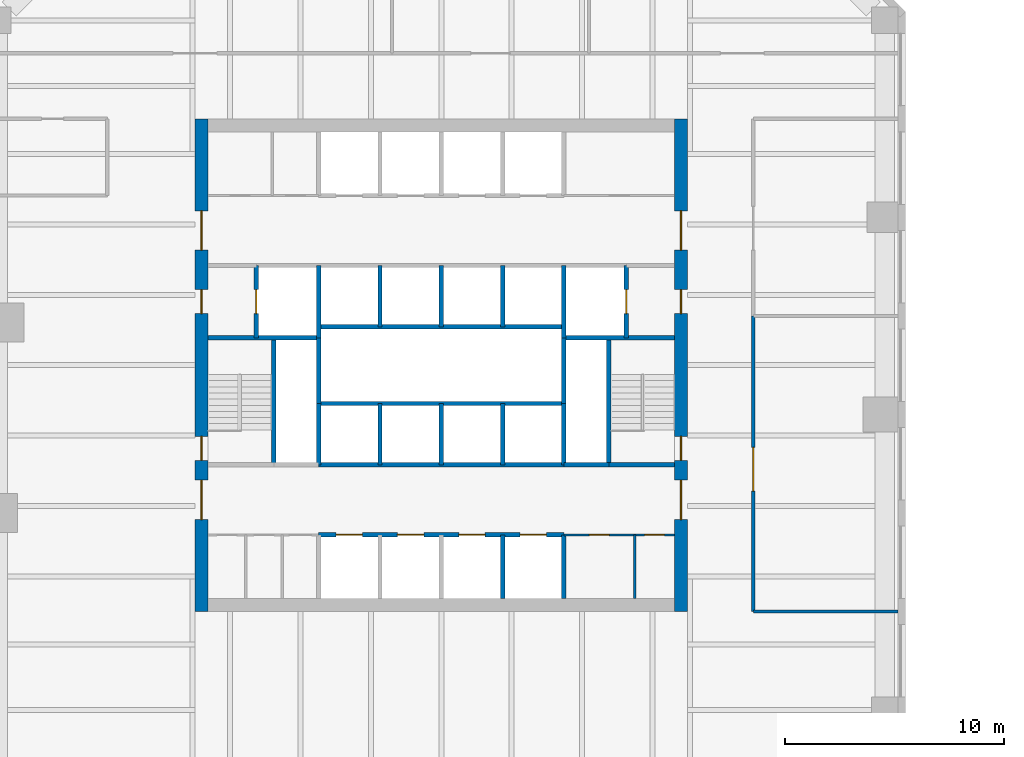
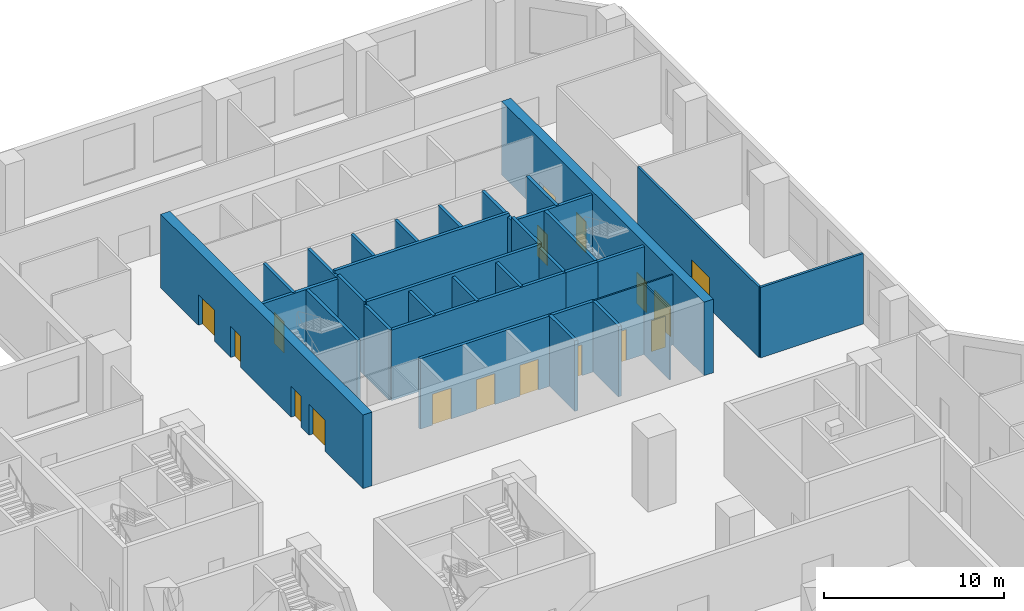
# One storey, part 7 of 12: 32 walls, 17 doors, 17 openings.
"""IFC4 building model written with IfcOpenShell, lengths in metres."""

from ifc_helpers import new_model, si_unit, direction, frame, frame_2d, origin, place, context, subcontext, project, spatial, rectangle, extrude, material, layer, layer_set, type_object, element, fill, save


model = new_model("IFC4")

# Units and contexts
model_context = context("Model", 3, precision=1e-05, world=origin(), true_north=direction((0.0, 1.0)))
body_context = subcontext(model_context, "Body", "Model", "MODEL_VIEW")
ifc_project = project(units=[si_unit("LENGTHUNIT", "METRE"), si_unit("AREAUNIT", "SQUARE_METRE"), si_unit("VOLUMEUNIT", "CUBIC_METRE"), si_unit("PLANEANGLEUNIT", "RADIAN"), si_unit("MASSUNIT", "GRAM", prefix="KILO")], contexts=[model_context])

# Site, building, storey
site_placement = place(None, origin())
site = spatial("IfcSite", under=ifc_project, at=site_placement, CompositionType="ELEMENT")
building_placement = place(site_placement, origin())
building = spatial("IfcBuilding", under=site, at=building_placement, Name="Quoin Convention Tower", CompositionType="ELEMENT")
storey_placement = place(building_placement, frame((0.0, 0.0, 13.5)))
storey = spatial("IfcBuildingStorey", under=building, at=storey_placement, Name="L02", CompositionType="ELEMENT", Elevation=13.5)

# Wall, openings, doors
ifc_material_1 = material(Name="Plasterboard")
ifc_layer_1 = layer(ifc_material_1, 0.012451171875, Name="Finish")
ifc_material_2 = material(Name="Steel stud framing", Category="steel")
ifc_layer_2 = layer(ifc_material_2, 0.074951171875, Name="Structure")
ifc_layer_3 = layer(ifc_material_1, 0.012451171875, Name="Finish")
ifc_layer_set_1 = layer_set([ifc_layer_1, ifc_layer_2, ifc_layer_3], Name="Steel stud framing")
wall_type_1 = type_object("IfcWallType", Name="Core partition wall", PredefinedType="PARTITIONING", material=ifc_layer_set_1)
wall_1_placement = place(storey_placement, frame((61.85009765625, 53.0, 0.0), z_axis=(0.0, 0.0, 1.0), x_axis=(1.0, 0.0, 0.0)))
wall_1 = element("IfcWall", 1, at=wall_1_placement, inside=storey, type_object=wall_type_1, Name="cr-C1-L02-h3500_16850", PredefinedType="PARTITIONING", context=body_context, shape_type="SweptSolid", body=[
    extrude(rectangle(XDim=5.0498046875, YDim=0.10009765625, at=frame_2d((2.52490234375, 0.0))), origin(), (0.0, 0.0, 1.0), 4.780029296875),
])
opening_1_placement = place(wall_1_placement, frame((3.69091796875, 0.0, 0.0)))
opening_1 = element("IfcOpeningElement", 2, at=opening_1_placement, cuts=wall_1, Name="Opening DCV1-23", PredefinedType="OPENING", context=body_context, shape_type="SweptSolid", body=[
    extrude(rectangle(XDim=0.89990234375, YDim=2.10009765625, at=frame_2d((0.449951171875, 1.050048828125))), frame((0.0, 0.06005859375, 0.0), z_axis=(0.0, -1.0, 0.0), x_axis=(1.0, 0.0, 0.0)), (0.0, 0.0, 1.0), 0.1201171875),
])
opening_2_placement = place(wall_1_placement, frame((1.166015625, 0.0, 0.0)))
opening_2 = element("IfcOpeningElement", 3, at=opening_2_placement, cuts=wall_1, Name="Opening DCV1-19", PredefinedType="OPENING", context=body_context, shape_type="SweptSolid", body=[
    extrude(rectangle(XDim=0.89990234375, YDim=2.10009765625, at=frame_2d((0.449951171875, 1.050048828125))), frame((0.0, 0.06005859375, 0.0), z_axis=(0.0, -1.0, 0.0), x_axis=(1.0, 0.0, 0.0)), (0.0, 0.0, 1.0), 0.1201171875),
])
ifc_material_3 = material(Name="Steel door leaf", Category="steel")
door_type_1 = type_object("IfcDoorType", Name="Core room door 900 x 2100", OperationType="SINGLE_SWING_LEFT", PredefinedType="DOOR", material=ifc_material_3)
door_1_placement = place(opening_1_placement, frame((0.89990234375, 0.0, 0.0), z_axis=(0.0, 0.0, 1.0), x_axis=(-1.0, 0.0, 0.0)))
door_1 = element("IfcDoor", 4, at=door_1_placement, inside=storey, type_object=door_type_1, Name="cd-C1-L02-CSE0-lobA-CD0210", OperationType="SINGLE_SWING_LEFT", OverallHeight=2.10009765625, OverallWidth=0.89990234375, PredefinedType="DOOR", context=body_context, shape_type="SweptSolid", body=[
    extrude(rectangle(XDim=0.89990234375, YDim=2.10009765625, at=frame_2d((0.449951171875, 1.050048828125))), frame((0.0, 0.02490234375, 0.0), z_axis=(0.0, -1.0, 0.0), x_axis=(1.0, 0.0, 0.0)), (0.0, 0.0, 1.0), 0.050048828125),
])
fill(opening_1, door_1)
door_2_placement = place(opening_2_placement, frame((0.89990234375, 0.0, 0.0), z_axis=(0.0, 0.0, 1.0), x_axis=(-1.0, 0.0, 0.0)))
door_2 = element("IfcDoor", 5, at=door_2_placement, inside=storey, type_object=door_type_1, Name="cd-C1-L02-CSE1-lobA-CD0211", OperationType="SINGLE_SWING_LEFT", OverallHeight=2.10009765625, OverallWidth=0.89990234375, PredefinedType="DOOR", context=body_context, shape_type="SweptSolid", body=[
    extrude(rectangle(XDim=0.89990234375, YDim=2.10009765625, at=frame_2d((0.449951171875, 1.050048828125))), frame((0.0, 0.02490234375, 0.0), z_axis=(0.0, -1.0, 0.0), x_axis=(1.0, 0.0, 0.0)), (0.0, 0.0, 1.0), 0.050048828125),
])
fill(opening_2, door_2)

# Wall
wall_2_placement = place(storey_placement, frame((65.08203125, 50.10009765625, 0.0), z_axis=(0.0, 0.0, 1.0), x_axis=(0.0, 1.0, 0.0)))
element("IfcWall", 6, at=wall_2_placement, inside=storey, type_object=wall_type_1, Name="cr-C1-L02-v20082_600", PredefinedType="PARTITIONING", context=body_context, shape_type="SweptSolid", body=[
    extrude(rectangle(XDim=2.89990234375, YDim=0.10009765625, at=frame_2d((1.449951171875, 0.0))), origin(), (0.0, 0.0, 1.0), 4.780029296875),
])

# Wall, openings, doors
ifc_material_4 = material(Name="Concrete C50", Category="concrete")
ifc_layer_4 = layer(ifc_material_4, 0.199951171875)
ifc_layer_set_2 = layer_set([ifc_layer_4], Name="Concrete C50")
wall_type_2 = type_object("IfcWallType", Name="Core shaft wall", PredefinedType="SOLIDWALL", material=ifc_layer_set_2)
wall_3_placement = place(storey_placement, frame((50.64990234375, 53.0, 0.0), z_axis=(0.0, 0.0, 1.0), x_axis=(1.0, 0.0, 0.0)))
wall_3 = element("IfcWall", 7, at=wall_3_placement, inside=storey, type_object=wall_type_2, Name="cr-C1-L02-h3500_5650", PredefinedType="SOLIDWALL", context=body_context, shape_type="SweptSolid", body=[
    extrude(rectangle(XDim=11.2001953125, YDim=0.199951171875, at=frame_2d((5.60009765625, 0.0))), origin(), (0.0, 0.0, 1.0), 4.780029296875),
])
opening_3_placement = place(wall_3_placement, frame((0.800048828125, 0.0, 0.0)))
opening_3 = element("IfcOpeningElement", 8, at=opening_3_placement, cuts=wall_3, Name="Opening LDL1", PredefinedType="OPENING", context=body_context, shape_type="SweptSolid", body=[
    extrude(rectangle(XDim=1.199951171875, YDim=2.10009765625, at=frame_2d((0.60009765625, 1.050048828125))), frame((0.0, 0.10986328125, 0.0), z_axis=(0.0, -1.0, 0.0), x_axis=(1.0, 0.0, 0.0)), (0.0, 0.0, 1.0), 0.219970703125),
])
opening_4_placement = place(wall_3_placement, frame((3.60009765625, 0.0, 0.0)))
opening_4 = element("IfcOpeningElement", 9, at=opening_4_placement, cuts=wall_3, Name="Opening LDL2", PredefinedType="OPENING", context=body_context, shape_type="SweptSolid", body=[
    extrude(rectangle(XDim=1.199951171875, YDim=2.10009765625, at=frame_2d((0.60009765625, 1.050048828125))), frame((0.0, 0.10986328125, 0.0), z_axis=(0.0, -1.0, 0.0), x_axis=(1.0, 0.0, 0.0)), (0.0, 0.0, 1.0), 0.219970703125),
])
opening_5_placement = place(wall_3_placement, frame((6.39990234375, 0.0, 0.0)))
opening_5 = element("IfcOpeningElement", 10, at=opening_5_placement, cuts=wall_3, Name="Opening LDL3", PredefinedType="OPENING", context=body_context, shape_type="SweptSolid", body=[
    extrude(rectangle(XDim=1.199951171875, YDim=2.10009765625, at=frame_2d((0.60009765625, 1.050048828125))), frame((0.0, 0.10986328125, 0.0), z_axis=(0.0, -1.0, 0.0), x_axis=(1.0, 0.0, 0.0)), (0.0, 0.0, 1.0), 0.219970703125),
])
opening_6_placement = place(wall_3_placement, frame((9.199951171875, 0.0, 0.0)))
opening_6 = element("IfcOpeningElement", 11, at=opening_6_placement, cuts=wall_3, Name="Opening LDL4", PredefinedType="OPENING", context=body_context, shape_type="SweptSolid", body=[
    extrude(rectangle(XDim=1.199951171875, YDim=2.10009765625, at=frame_2d((0.60009765625, 1.050048828125))), frame((0.0, 0.10986328125, 0.0), z_axis=(0.0, -1.0, 0.0), x_axis=(1.0, 0.0, 0.0)), (0.0, 0.0, 1.0), 0.219970703125),
])
door_type_2 = type_object("IfcDoorType", Name="Lift landing door 1200 x 2100", OperationType="DOUBLE_DOOR_SLIDING", PredefinedType="DOOR", material=ifc_material_3)
door_3_placement = place(opening_3_placement, origin())
door_3 = element("IfcDoor", 12, at=door_3_placement, inside=storey, type_object=door_type_2, Name="cd-C1-L02-R10-lobA-LDL1", OperationType="DOUBLE_DOOR_SLIDING", OverallHeight=2.10009765625, OverallWidth=1.199951171875, PredefinedType="DOOR", context=body_context, shape_type="SweptSolid", body=[
    extrude(rectangle(XDim=1.199951171875, YDim=2.10009765625, at=frame_2d((0.60009765625, 1.050048828125))), frame((0.0, 0.02490234375, 0.0), z_axis=(0.0, -1.0, 0.0), x_axis=(1.0, 0.0, 0.0)), (0.0, 0.0, 1.0), 0.050048828125),
])
fill(opening_3, door_3)
door_4_placement = place(opening_4_placement, origin())
door_4 = element("IfcDoor", 13, at=door_4_placement, inside=storey, type_object=door_type_2, Name="cd-C1-L02-R11-lobA-LDL2", OperationType="DOUBLE_DOOR_SLIDING", OverallHeight=2.10009765625, OverallWidth=1.199951171875, PredefinedType="DOOR", context=body_context, shape_type="SweptSolid", body=[
    extrude(rectangle(XDim=1.199951171875, YDim=2.10009765625, at=frame_2d((0.60009765625, 1.050048828125))), frame((0.0, 0.02490234375, 0.0), z_axis=(0.0, -1.0, 0.0), x_axis=(1.0, 0.0, 0.0)), (0.0, 0.0, 1.0), 0.050048828125),
])
fill(opening_4, door_4)
door_5_placement = place(opening_5_placement, origin())
door_5 = element("IfcDoor", 14, at=door_5_placement, inside=storey, type_object=door_type_2, Name="cd-C1-L02-R12-lobA-LDL3", OperationType="DOUBLE_DOOR_SLIDING", OverallHeight=2.10009765625, OverallWidth=1.199951171875, PredefinedType="DOOR", context=body_context, shape_type="SweptSolid", body=[
    extrude(rectangle(XDim=1.199951171875, YDim=2.10009765625, at=frame_2d((0.60009765625, 1.050048828125))), frame((0.0, 0.02490234375, 0.0), z_axis=(0.0, -1.0, 0.0), x_axis=(1.0, 0.0, 0.0)), (0.0, 0.0, 1.0), 0.050048828125),
])
fill(opening_5, door_5)
door_6_placement = place(opening_6_placement, origin())
door_6 = element("IfcDoor", 15, at=door_6_placement, inside=storey, type_object=door_type_2, Name="cd-C1-L02-R13-lobA-LDL4", OperationType="DOUBLE_DOOR_SLIDING", OverallHeight=2.10009765625, OverallWidth=1.199951171875, PredefinedType="DOOR", context=body_context, shape_type="SweptSolid", body=[
    extrude(rectangle(XDim=1.199951171875, YDim=2.10009765625, at=frame_2d((0.60009765625, 1.050048828125))), frame((0.0, 0.02490234375, 0.0), z_axis=(0.0, -1.0, 0.0), x_axis=(1.0, 0.0, 0.0)), (0.0, 0.0, 1.0), 0.050048828125),
])
fill(opening_6, door_6)

# Walls
wall_4_placement = place(storey_placement, frame((61.85009765625, 56.199951171875, 0.0), z_axis=(0.0, 0.0, 1.0), x_axis=(1.0, 0.0, 0.0)))
element("IfcWall", 16, at=wall_4_placement, inside=storey, type_object=wall_type_2, Name="cr-C1-L02-h6700_16850", PredefinedType="SOLIDWALL", context=body_context, shape_type="SweptSolid", body=[
    extrude(rectangle(XDim=2.0498046875, YDim=0.199951171875, at=frame_2d((1.02490234375, 0.0))), origin(), (0.0, 0.0, 1.0), 4.780029296875),
])
wall_5_placement = place(storey_placement, frame((50.64990234375, 56.199951171875, 0.0), z_axis=(0.0, 0.0, 1.0), x_axis=(1.0, 0.0, 0.0)))
element("IfcWall", 17, at=wall_5_placement, inside=storey, type_object=wall_type_2, Name="cr-C1-L02-h6700_5650", PredefinedType="SOLIDWALL", context=body_context, shape_type="SweptSolid", body=[
    extrude(rectangle(XDim=11.2001953125, YDim=0.199951171875, at=frame_2d((5.60009765625, 0.0))), origin(), (0.0, 0.0, 1.0), 4.780029296875),
])
wall_6_placement = place(storey_placement, frame((63.89990234375, 56.199951171875, 0.0), z_axis=(0.0, 0.0, 1.0), x_axis=(1.0, 0.0, 0.0)))
element("IfcWall", 18, at=wall_6_placement, inside=storey, type_object=wall_type_2, Name="cr-C1-L02-h6700_18900", PredefinedType="SOLIDWALL", context=body_context, shape_type="SweptSolid", body=[
    extrude(rectangle(XDim=3.0, YDim=0.199951171875, at=frame_2d((1.5, 0.0))), origin(), (0.0, 0.0, 1.0), 4.780029296875),
])
for number, where, z_axis, x_axis, name in (
    (19, (45.60009765625, 62.0, 0.0), (0.0, 0.0, 1.0), (1.0, 0.0, 0.0), "cr-C1-L02-h12500_600"),
    (20, (61.85009765625, 62.0, 0.0), (0.0, 0.0, 1.0), (1.0, 0.0, 0.0), "cr-C1-L02-h12500_16850"),
):
    element("IfcWall", number, at=place(storey_placement, frame(where, z_axis=z_axis, x_axis=x_axis)), inside=storey, type_object=wall_type_2, Name=name, PredefinedType="SOLIDWALL", context=body_context, shape_type="SweptSolid", body=[
        extrude(rectangle(XDim=5.0498046875, YDim=0.199951171875, at=frame_2d((2.52490234375, 0.0))), origin(), (0.0, 0.0, 1.0), 4.780029296875),
    ])

# Wall, opening, door
wall_7_placement = place(storey_placement, frame((47.800048828125, 62.0, 0.0), z_axis=(0.0, 0.0, 1.0), x_axis=(0.0, 1.0, 0.0)))
wall_7 = element("IfcWall", 21, at=wall_7_placement, inside=storey, type_object=wall_type_2, Name="cr-C1-L02-v2800_12500", PredefinedType="SOLIDWALL", context=body_context, shape_type="SweptSolid", body=[
    extrude(rectangle(XDim=3.300048828125, YDim=0.199951171875, at=frame_2d((1.64990234375, 0.0))), origin(), (0.0, 0.0, 1.0), 4.780029296875),
])
opening_7_placement = place(wall_7_placement, frame((1.10009765625, 0.0, 0.0)))
opening_7 = element("IfcOpeningElement", 22, at=opening_7_placement, cuts=wall_7, Name="Opening LDFL1", PredefinedType="OPENING", context=body_context, shape_type="SweptSolid", body=[
    extrude(rectangle(XDim=1.10009765625, YDim=2.10009765625, at=frame_2d((0.550048828125, 1.050048828125))), frame((0.0, 0.10986328125, 0.0), z_axis=(0.0, -1.0, 0.0), x_axis=(1.0, 0.0, 0.0)), (0.0, 0.0, 1.0), 0.219970703125),
])
door_type_3 = type_object("IfcDoorType", Name="Lift landing door 1100 x 2100", OperationType="DOUBLE_DOOR_SLIDING", PredefinedType="DOOR", material=ifc_material_3)
door_7_placement = place(opening_7_placement, origin())
door_7 = element("IfcDoor", 23, at=door_7_placement, inside=storey, type_object=door_type_3, Name="cd-C1-L02-FLW-FFW-LDFL1", OperationType="DOUBLE_DOOR_SLIDING", OverallHeight=2.10009765625, OverallWidth=1.10009765625, PredefinedType="DOOR", context=body_context, shape_type="SweptSolid", body=[
    extrude(rectangle(XDim=1.10009765625, YDim=2.10009765625, at=frame_2d((0.550048828125, 1.050048828125))), frame((0.0, 0.02490234375, 0.0), z_axis=(0.0, -1.0, 0.0), x_axis=(1.0, 0.0, 0.0)), (0.0, 0.0, 1.0), 0.050048828125),
])
fill(opening_7, door_7)

# Walls
wall_8_placement = place(storey_placement, frame((48.60009765625, 56.199951171875, 0.0), z_axis=(0.0, 0.0, 1.0), x_axis=(0.0, 1.0, 0.0)))
element("IfcWall", 24, at=wall_8_placement, inside=storey, type_object=wall_type_2, Name="cr-C1-L02-v3600_6700", PredefinedType="SOLIDWALL", context=body_context, shape_type="SweptSolid", body=[
    extrude(rectangle(XDim=5.800048828125, YDim=0.199951171875, at=frame_2d((2.89990234375, 0.0))), origin(), (0.0, 0.0, 1.0), 4.780029296875),
])
wall_9_placement = place(storey_placement, frame((50.64990234375, 56.199951171875, 0.0), z_axis=(0.0, 0.0, 1.0), x_axis=(0.0, 1.0, 0.0)))
element("IfcWall", 25, at=wall_9_placement, inside=storey, type_object=wall_type_2, Name="cr-C1-L02-v5650_6700", PredefinedType="SOLIDWALL", context=body_context, shape_type="SweptSolid", body=[
    extrude(rectangle(XDim=2.800048828125, YDim=0.199951171875, at=frame_2d((1.39990234375, 0.0))), origin(), (0.0, 0.0, 1.0), 4.780029296875),
])
wall_10_placement = place(storey_placement, frame((50.64990234375, 62.0, 0.0), z_axis=(0.0, 0.0, 1.0), x_axis=(0.0, 1.0, 0.0)))
element("IfcWall", 26, at=wall_10_placement, inside=storey, type_object=wall_type_2, Name="cr-C1-L02-v5650_12500", PredefinedType="SOLIDWALL", context=body_context, shape_type="SweptSolid", body=[
    extrude(rectangle(XDim=3.300048828125, YDim=0.199951171875, at=frame_2d((1.64990234375, 0.0))), origin(), (0.0, 0.0, 1.0), 4.780029296875),
])
for number, where, z_axis, x_axis, name in (
    (27, (53.449951171875, 56.199951171875, 0.0), (0.0, 0.0, 1.0), (0.0, 1.0, 0.0), "cr-C1-L02-v8450_6700"),
    (28, (53.449951171875, 62.5, 0.0), (0.0, 0.0, 1.0), (0.0, 1.0, 0.0), "cr-C1-L02-v8450_13000"),
    (29, (56.25, 56.199951171875, 0.0), (0.0, 0.0, 1.0), (0.0, 1.0, 0.0), "cr-C1-L02-v11250_6700"),
    (30, (56.25, 62.5, 0.0), (0.0, 0.0, 1.0), (0.0, 1.0, 0.0), "cr-C1-L02-v11250_13000"),
):
    element("IfcWall", number, at=place(storey_placement, frame(where, z_axis=z_axis, x_axis=x_axis)), inside=storey, type_object=wall_type_2, Name=name, PredefinedType="SOLIDWALL", context=body_context, shape_type="SweptSolid", body=[
        extrude(rectangle(XDim=2.800048828125, YDim=0.199951171875, at=frame_2d((1.39990234375, 0.0))), origin(), (0.0, 0.0, 1.0), 4.780029296875),
    ])
wall_11_placement = place(storey_placement, frame((59.050048828125, 50.10009765625, 0.0), z_axis=(0.0, 0.0, 1.0), x_axis=(0.0, 1.0, 0.0)))
element("IfcWall", 31, at=wall_11_placement, inside=storey, type_object=wall_type_2, Name="cr-C1-L02-v14050_600", PredefinedType="SOLIDWALL", context=body_context, shape_type="SweptSolid", body=[
    extrude(rectangle(XDim=2.89990234375, YDim=0.199951171875, at=frame_2d((1.449951171875, 0.0))), origin(), (0.0, 0.0, 1.0), 4.780029296875),
])
for number, where, z_axis, x_axis, name in (
    (32, (59.050048828125, 56.199951171875, 0.0), (0.0, 0.0, 1.0), (0.0, 1.0, 0.0), "cr-C1-L02-v14050_6700"),
    (33, (59.050048828125, 62.5, 0.0), (0.0, 0.0, 1.0), (0.0, 1.0, 0.0), "cr-C1-L02-v14050_13000"),
):
    element("IfcWall", number, at=place(storey_placement, frame(where, z_axis=z_axis, x_axis=x_axis)), inside=storey, type_object=wall_type_2, Name=name, PredefinedType="SOLIDWALL", context=body_context, shape_type="SweptSolid", body=[
        extrude(rectangle(XDim=2.800048828125, YDim=0.199951171875, at=frame_2d((1.39990234375, 0.0))), origin(), (0.0, 0.0, 1.0), 4.780029296875),
    ])
wall_12_placement = place(storey_placement, frame((61.85009765625, 50.10009765625, 0.0), z_axis=(0.0, 0.0, 1.0), x_axis=(0.0, 1.0, 0.0)))
element("IfcWall", 34, at=wall_12_placement, inside=storey, type_object=wall_type_2, Name="cr-C1-L02-v16850_600", PredefinedType="SOLIDWALL", context=body_context, shape_type="SweptSolid", body=[
    extrude(rectangle(XDim=2.89990234375, YDim=0.199951171875, at=frame_2d((1.449951171875, 0.0))), origin(), (0.0, 0.0, 1.0), 4.780029296875),
])
wall_13_placement = place(storey_placement, frame((61.85009765625, 56.199951171875, 0.0), z_axis=(0.0, 0.0, 1.0), x_axis=(0.0, 1.0, 0.0)))
element("IfcWall", 35, at=wall_13_placement, inside=storey, type_object=wall_type_2, Name="cr-C1-L02-v16850_6700", PredefinedType="SOLIDWALL", context=body_context, shape_type="SweptSolid", body=[
    extrude(rectangle(XDim=2.800048828125, YDim=0.199951171875, at=frame_2d((1.39990234375, 0.0))), origin(), (0.0, 0.0, 1.0), 4.780029296875),
])
wall_14_placement = place(storey_placement, frame((61.85009765625, 62.0, 0.0), z_axis=(0.0, 0.0, 1.0), x_axis=(0.0, 1.0, 0.0)))
element("IfcWall", 36, at=wall_14_placement, inside=storey, type_object=wall_type_2, Name="cr-C1-L02-v16850_12500", PredefinedType="SOLIDWALL", context=body_context, shape_type="SweptSolid", body=[
    extrude(rectangle(XDim=3.300048828125, YDim=0.199951171875, at=frame_2d((1.64990234375, 0.0))), origin(), (0.0, 0.0, 1.0), 4.780029296875),
])
wall_15_placement = place(storey_placement, frame((63.89990234375, 56.199951171875, 0.0), z_axis=(0.0, 0.0, 1.0), x_axis=(0.0, 1.0, 0.0)))
element("IfcWall", 37, at=wall_15_placement, inside=storey, type_object=wall_type_2, Name="cr-C1-L02-v18900_6700", PredefinedType="SOLIDWALL", context=body_context, shape_type="SweptSolid", body=[
    extrude(rectangle(XDim=5.800048828125, YDim=0.199951171875, at=frame_2d((2.89990234375, 0.0))), origin(), (0.0, 0.0, 1.0), 4.780029296875),
])

# Wall, opening, door
wall_16_placement = place(storey_placement, frame((64.699951171875, 62.0, 0.0), z_axis=(0.0, 0.0, 1.0), x_axis=(0.0, 1.0, 0.0)))
wall_16 = element("IfcWall", 38, at=wall_16_placement, inside=storey, type_object=wall_type_2, Name="cr-C1-L02-v19700_12500", PredefinedType="SOLIDWALL", context=body_context, shape_type="SweptSolid", body=[
    extrude(rectangle(XDim=3.300048828125, YDim=0.199951171875, at=frame_2d((1.64990234375, 0.0))), origin(), (0.0, 0.0, 1.0), 4.780029296875),
])
opening_8_placement = place(wall_16_placement, frame((1.10009765625, 0.0, 0.0)))
opening_8 = element("IfcOpeningElement", 39, at=opening_8_placement, cuts=wall_16, Name="Opening LDFL2", PredefinedType="OPENING", context=body_context, shape_type="SweptSolid", body=[
    extrude(rectangle(XDim=1.10009765625, YDim=2.10009765625, at=frame_2d((0.550048828125, 1.050048828125))), frame((0.0, 0.10986328125, 0.0), z_axis=(0.0, -1.0, 0.0), x_axis=(1.0, 0.0, 0.0)), (0.0, 0.0, 1.0), 0.219970703125),
])
door_8_placement = place(opening_8_placement, origin())
door_8 = element("IfcDoor", 40, at=door_8_placement, inside=storey, type_object=door_type_3, Name="cd-C1-L02-FLE-FFE-LDFL2", OperationType="DOUBLE_DOOR_SLIDING", OverallHeight=2.10009765625, OverallWidth=1.10009765625, PredefinedType="DOOR", context=body_context, shape_type="SweptSolid", body=[
    extrude(rectangle(XDim=1.10009765625, YDim=2.10009765625, at=frame_2d((0.550048828125, 1.050048828125))), frame((0.0, 0.02490234375, 0.0), z_axis=(0.0, -1.0, 0.0), x_axis=(1.0, 0.0, 0.0)), (0.0, 0.0, 1.0), 0.050048828125),
])
fill(opening_8, door_8)

# Walls
ifc_layer_5 = layer(ifc_material_4, 0.199951171875)
ifc_layer_set_3 = layer_set([ifc_layer_5], Name="Concrete C50")
wall_type_3 = type_object("IfcWallType", Name="Core shaft wall to the floor level over", PredefinedType="SOLIDWALL", material=ifc_layer_set_3)
for number, where, z_axis, x_axis, name in (
    (41, (50.64990234375, 59.0, 0.0), (0.0, 0.0, 1.0), (1.0, 0.0, 0.0), "cr-C1-L02-h9500_5650"),
    (42, (50.64990234375, 62.5, 0.0), (0.0, 0.0, 1.0), (1.0, 0.0, 0.0), "cr-C1-L02-h13000_5650"),
):
    element("IfcWall", number, at=place(storey_placement, frame(where, z_axis=z_axis, x_axis=x_axis)), inside=storey, type_object=wall_type_3, Name=name, PredefinedType="SOLIDWALL", context=body_context, shape_type="SweptSolid", body=[
        extrude(rectangle(XDim=11.2001953125, YDim=0.199951171875, at=frame_2d((5.60009765625, 0.0))), origin(), (0.0, 0.0, 1.0), 5.0),
    ])
for number, where, z_axis, x_axis, name in (
    (43, (50.64990234375, 59.0, 0.0), (0.0, 0.0, 1.0), (0.0, 1.0, 0.0), "cr-C1-L02-v5650_9500"),
    (44, (61.85009765625, 59.0, 0.0), (0.0, 0.0, 1.0), (0.0, 1.0, 0.0), "cr-C1-L02-v16850_9500"),
):
    element("IfcWall", number, at=place(storey_placement, frame(where, z_axis=z_axis, x_axis=x_axis)), inside=storey, type_object=wall_type_3, Name=name, PredefinedType="SOLIDWALL", context=body_context, shape_type="SweptSolid", body=[
        extrude(rectangle(XDim=3.0, YDim=0.199951171875, at=frame_2d((1.5, 0.0))), origin(), (0.0, 0.0, 1.0), 5.0),
    ])
ifc_layer_6 = layer(ifc_material_1, 0.012451171875, Name="Finish")
ifc_layer_7 = layer(ifc_material_2, 0.125, Name="Structure")
ifc_layer_8 = layer(ifc_material_1, 0.012451171875, Name="Finish")
ifc_layer_set_4 = layer_set([ifc_layer_6, ifc_layer_7, ifc_layer_8], Name="Steel stud framing")
wall_type_4 = type_object("IfcWallType", Name="Partition wall 150", PredefinedType="PARTITIONING", material=ifc_layer_set_4)
wall_17_placement = place(storey_placement, frame((70.5, 49.5, 0.0), z_axis=(0.0, 0.0, 1.0), x_axis=(1.0, 0.0, 0.0)))
element("IfcWall", 45, at=wall_17_placement, inside=storey, type_object=wall_type_4, Name="pw-L02-020", PredefinedType="PARTITIONING", context=body_context, shape_type="SweptSolid", body=[
    extrude(rectangle(XDim=6.60009765625, YDim=0.14990234375, at=frame_2d((3.300048828125, 0.0))), origin(), (0.0, 0.0, 1.0), 4.780029296875),
])

# Wall, opening, door
wall_18_placement = place(storey_placement, frame((70.5, 49.5, 0.0), z_axis=(0.0, 0.0, 1.0), x_axis=(0.0, 1.0, 0.0)))
wall_18 = element("IfcWall", 46, at=wall_18_placement, inside=storey, type_object=wall_type_4, Name="pw-L02-021", PredefinedType="PARTITIONING", context=body_context, shape_type="SweptSolid", body=[
    extrude(rectangle(XDim=13.5, YDim=0.14990234375, at=frame_2d((6.75, 0.0))), origin(), (0.0, 0.0, 1.0), 4.780029296875),
])
opening_9_placement = place(wall_18_placement, frame((5.5, 0.0, 0.0)))
opening_9 = element("IfcOpeningElement", 47, at=opening_9_placement, cuts=wall_18, Name="Opening DPD2-15", PredefinedType="OPENING", context=body_context, shape_type="SweptSolid", body=[
    extrude(rectangle(XDim=2.0, YDim=2.10009765625, at=frame_2d((1.0, 1.050048828125))), frame((0.0, 0.0849609375, 0.0), z_axis=(0.0, -1.0, 0.0), x_axis=(1.0, 0.0, 0.0)), (0.0, 0.0, 1.0), 0.169921875),
])
door_type_4 = type_object("IfcDoorType", Name="Double leaf door 2000", OperationType="DOUBLE_DOOR_SINGLE_SWING", PredefinedType="DOOR", material=ifc_material_3)
door_9_placement = place(opening_9_placement, frame((2.0, 0.0, 0.0), z_axis=(0.0, 0.0, 1.0), x_axis=(-1.0, 0.0, 0.0)))
door_9 = element("IfcDoor", 48, at=door_9_placement, inside=storey, type_object=door_type_4, Name="dr-L02-021", OperationType="DOUBLE_DOOR_SINGLE_SWING", OverallHeight=2.10009765625, OverallWidth=2.0, PredefinedType="DOOR", context=body_context, shape_type="SweptSolid", body=[
    extrude(rectangle(XDim=2.0, YDim=2.10009765625, at=frame_2d((1.0, 1.050048828125))), frame((0.0, 0.02490234375, 0.0), z_axis=(0.0, -1.0, 0.0), x_axis=(1.0, 0.0, 0.0)), (0.0, 0.0, 1.0), 0.050048828125),
])
fill(opening_9, door_9)

# Wall, openings, doors
ifc_material_5 = material(Name="Concrete C100 (100 MPa)", Category="concrete")
ifc_layer_9 = layer(ifc_material_5, 0.60009765625)
ifc_layer_set_5 = layer_set([ifc_layer_9], Name="Concrete C100 (100 MPa)")
wall_type_5 = type_object("IfcWallType", Name="RC CORE WALL 600 C100", PredefinedType="SHEAR", material=ifc_layer_set_5)
wall_19_placement = place(storey_placement, frame((45.300048828125, 49.5, 0.0), z_axis=(0.0, 0.0, 1.0), x_axis=(0.0, 1.0, 0.0)))
wall_19 = element("IfcWall", 49, at=wall_19_placement, inside=storey, type_object=wall_type_5, Name="cwl-C1-L02-W", PredefinedType="SHEAR", context=body_context, shape_type="SweptSolid", body=[
    extrude(rectangle(XDim=22.5, YDim=0.60009765625, at=frame_2d((11.25, 0.0))), origin(), (0.0, 0.0, 1.0), 5.0),
])
opening_10_placement = place(wall_19_placement, frame((4.199951171875, 0.0, 0.0)))
opening_10 = element("IfcOpeningElement", 50, at=opening_10_placement, cuts=wall_19, Name="Opening DCV1-49", PredefinedType="OPENING", context=body_context, shape_type="SweptSolid", body=[
    extrude(rectangle(XDim=1.800048828125, YDim=2.10009765625, at=frame_2d((0.89990234375, 1.050048828125))), frame((0.0, 0.31005859375, 0.0), z_axis=(0.0, -1.0, 0.0), x_axis=(1.0, 0.0, 0.0)), (0.0, 0.0, 1.0), 0.6201171875),
])
opening_11_placement = place(wall_19_placement, frame((6.89990234375, 0.0, 0.0)))
opening_11 = element("IfcOpeningElement", 51, at=opening_11_placement, cuts=wall_19, Name="Opening SD1", PredefinedType="OPENING", context=body_context, shape_type="SweptSolid", body=[
    extrude(rectangle(XDim=1.10009765625, YDim=2.10009765625, at=frame_2d((0.550048828125, 1.050048828125))), frame((0.0, 0.31005859375, 0.0), z_axis=(0.0, -1.0, 0.0), x_axis=(1.0, 0.0, 0.0)), (0.0, 0.0, 1.0), 0.6201171875),
])
opening_12_placement = place(wall_19_placement, frame((13.60009765625, 0.0, 0.0)))
opening_12 = element("IfcOpeningElement", 52, at=opening_12_placement, cuts=wall_19, Name="Opening DCV1-48", PredefinedType="OPENING", context=body_context, shape_type="SweptSolid", body=[
    extrude(rectangle(XDim=1.10009765625, YDim=2.10009765625, at=frame_2d((0.550048828125, 1.050048828125))), frame((0.0, 0.31005859375, 0.0), z_axis=(0.0, -1.0, 0.0), x_axis=(1.0, 0.0, 0.0)), (0.0, 0.0, 1.0), 0.6201171875),
])
opening_13_placement = place(wall_19_placement, frame((16.5, 0.0, 0.0)))
opening_13 = element("IfcOpeningElement", 53, at=opening_13_placement, cuts=wall_19, Name="Opening DCV1-49", PredefinedType="OPENING", context=body_context, shape_type="SweptSolid", body=[
    extrude(rectangle(XDim=1.800048828125, YDim=2.10009765625, at=frame_2d((0.89990234375, 1.050048828125))), frame((0.0, 0.31005859375, 0.0), z_axis=(0.0, -1.0, 0.0), x_axis=(1.0, 0.0, 0.0)), (0.0, 0.0, 1.0), 0.6201171875),
])
door_type_5 = type_object("IfcDoorType", Name="Fire-fighting lobby door 1100 x 2100", OperationType="SINGLE_SWING_LEFT", PredefinedType="DOOR", material=ifc_material_3)
door_10_placement = place(opening_12_placement, frame((1.10009765625, 0.0, 0.0), z_axis=(0.0, 0.0, 1.0), x_axis=(-1.0, 0.0, 0.0)))
door_10 = element("IfcDoor", 54, at=door_10_placement, inside=storey, type_object=door_type_5, Name="cd-C1-L02-FFW-W", OperationType="SINGLE_SWING_LEFT", OverallHeight=2.10009765625, OverallWidth=1.10009765625, PredefinedType="DOOR", context=body_context, shape_type="SweptSolid", body=[
    extrude(rectangle(XDim=1.10009765625, YDim=2.10009765625, at=frame_2d((0.550048828125, 1.050048828125))), frame((0.0, 0.02490234375, 0.0), z_axis=(0.0, -1.0, 0.0), x_axis=(1.0, 0.0, 0.0)), (0.0, 0.0, 1.0), 0.050048828125),
])
fill(opening_12, door_10)
door_type_6 = type_object("IfcDoorType", Name="Lift lobby door 1800 x 2100", OperationType="SINGLE_SWING_LEFT", PredefinedType="DOOR", material=ifc_material_3)
door_11_placement = place(opening_10_placement, frame((1.800048828125, 0.0, 0.0), z_axis=(0.0, 0.0, 1.0), x_axis=(-1.0, 0.0, 0.0)))
door_11 = element("IfcDoor", 55, at=door_11_placement, inside=storey, type_object=door_type_6, Name="cd-C1-L02-lobA-W", OperationType="SINGLE_SWING_LEFT", OverallHeight=2.10009765625, OverallWidth=1.800048828125, PredefinedType="DOOR", context=body_context, shape_type="SweptSolid", body=[
    extrude(rectangle(XDim=1.800048828125, YDim=2.10009765625, at=frame_2d((0.89990234375, 1.050048828125))), frame((0.0, 0.02490234375, 0.0), z_axis=(0.0, -1.0, 0.0), x_axis=(1.0, 0.0, 0.0)), (0.0, 0.0, 1.0), 0.050048828125),
])
fill(opening_10, door_11)
door_12_placement = place(opening_13_placement, frame((1.800048828125, 0.0, 0.0), z_axis=(0.0, 0.0, 1.0), x_axis=(-1.0, 0.0, 0.0)))
door_12 = element("IfcDoor", 56, at=door_12_placement, inside=storey, type_object=door_type_6, Name="cd-C1-L02-lobB-W", OperationType="SINGLE_SWING_LEFT", OverallHeight=2.10009765625, OverallWidth=1.800048828125, PredefinedType="DOOR", context=body_context, shape_type="SweptSolid", body=[
    extrude(rectangle(XDim=1.800048828125, YDim=2.10009765625, at=frame_2d((0.89990234375, 1.050048828125))), frame((0.0, 0.02490234375, 0.0), z_axis=(0.0, -1.0, 0.0), x_axis=(1.0, 0.0, 0.0)), (0.0, 0.0, 1.0), 0.050048828125),
])
fill(opening_13, door_12)
door_type_7 = type_object("IfcDoorType", Name="Stair door 1100 x 2100", OperationType="SINGLE_SWING_RIGHT", PredefinedType="DOOR", material=ifc_material_3)
door_13_placement = place(opening_11_placement, frame((1.10009765625, 0.0, 0.0), z_axis=(0.0, 0.0, 1.0), x_axis=(-1.0, 0.0, 0.0)))
door_13 = element("IfcDoor", 57, at=door_13_placement, inside=storey, type_object=door_type_7, Name="cd-C1-L02-STW-W", OperationType="SINGLE_SWING_RIGHT", OverallHeight=2.10009765625, OverallWidth=1.10009765625, PredefinedType="DOOR", context=body_context, shape_type="SweptSolid", body=[
    extrude(rectangle(XDim=1.10009765625, YDim=2.10009765625, at=frame_2d((0.550048828125, 1.050048828125))), frame((0.0, 0.02490234375, 0.0), z_axis=(0.0, -1.0, 0.0), x_axis=(1.0, 0.0, 0.0)), (0.0, 0.0, 1.0), 0.050048828125),
])
fill(opening_11, door_13)

wall_20_placement = place(storey_placement, frame((67.199951171875, 49.5, 0.0), z_axis=(0.0, 0.0, 1.0), x_axis=(0.0, 1.0, 0.0)))
wall_20 = element("IfcWall", 58, at=wall_20_placement, inside=storey, type_object=wall_type_5, Name="cwl-C1-L02-E", PredefinedType="SHEAR", context=body_context, shape_type="SweptSolid", body=[
    extrude(rectangle(XDim=22.5, YDim=0.60009765625, at=frame_2d((11.25, 0.0))), origin(), (0.0, 0.0, 1.0), 5.0),
])
opening_14_placement = place(wall_20_placement, frame((4.199951171875, 0.0, 0.0)))
opening_14 = element("IfcOpeningElement", 59, at=opening_14_placement, cuts=wall_20, Name="Opening DCV1-47", PredefinedType="OPENING", context=body_context, shape_type="SweptSolid", body=[
    extrude(rectangle(XDim=1.800048828125, YDim=2.10009765625, at=frame_2d((0.89990234375, 1.050048828125))), frame((0.0, 0.31005859375, 0.0), z_axis=(0.0, -1.0, 0.0), x_axis=(1.0, 0.0, 0.0)), (0.0, 0.0, 1.0), 0.6201171875),
])
opening_15_placement = place(wall_20_placement, frame((6.89990234375, 0.0, 0.0)))
opening_15 = element("IfcOpeningElement", 60, at=opening_15_placement, cuts=wall_20, Name="Opening SD2", PredefinedType="OPENING", context=body_context, shape_type="SweptSolid", body=[
    extrude(rectangle(XDim=1.10009765625, YDim=2.10009765625, at=frame_2d((0.550048828125, 1.050048828125))), frame((0.0, 0.31005859375, 0.0), z_axis=(0.0, -1.0, 0.0), x_axis=(1.0, 0.0, 0.0)), (0.0, 0.0, 1.0), 0.6201171875),
])
opening_16_placement = place(wall_20_placement, frame((13.60009765625, 0.0, 0.0)))
opening_16 = element("IfcOpeningElement", 61, at=opening_16_placement, cuts=wall_20, Name="Opening DCV1-46", PredefinedType="OPENING", context=body_context, shape_type="SweptSolid", body=[
    extrude(rectangle(XDim=1.10009765625, YDim=2.10009765625, at=frame_2d((0.550048828125, 1.050048828125))), frame((0.0, 0.31005859375, 0.0), z_axis=(0.0, -1.0, 0.0), x_axis=(1.0, 0.0, 0.0)), (0.0, 0.0, 1.0), 0.6201171875),
])
opening_17_placement = place(wall_20_placement, frame((16.5, 0.0, 0.0)))
opening_17 = element("IfcOpeningElement", 62, at=opening_17_placement, cuts=wall_20, Name="Opening DCV1-47", PredefinedType="OPENING", context=body_context, shape_type="SweptSolid", body=[
    extrude(rectangle(XDim=1.800048828125, YDim=2.10009765625, at=frame_2d((0.89990234375, 1.050048828125))), frame((0.0, 0.31005859375, 0.0), z_axis=(0.0, -1.0, 0.0), x_axis=(1.0, 0.0, 0.0)), (0.0, 0.0, 1.0), 0.6201171875),
])
door_14_placement = place(opening_16_placement, origin())
door_14 = element("IfcDoor", 63, at=door_14_placement, inside=storey, type_object=door_type_5, Name="cd-C1-L02-FFE-E", OperationType="SINGLE_SWING_RIGHT", OverallHeight=2.10009765625, OverallWidth=1.10009765625, PredefinedType="DOOR", context=body_context, shape_type="SweptSolid", body=[
    extrude(rectangle(XDim=1.10009765625, YDim=2.10009765625, at=frame_2d((0.550048828125, 1.050048828125))), frame((0.0, 0.02490234375, 0.0), z_axis=(0.0, -1.0, 0.0), x_axis=(1.0, 0.0, 0.0)), (0.0, 0.0, 1.0), 0.050048828125),
])
fill(opening_16, door_14)
door_15_placement = place(opening_14_placement, origin())
door_15 = element("IfcDoor", 64, at=door_15_placement, inside=storey, type_object=door_type_6, Name="cd-C1-L02-lobA-E", OperationType="SINGLE_SWING_RIGHT", OverallHeight=2.10009765625, OverallWidth=1.800048828125, PredefinedType="DOOR", context=body_context, shape_type="SweptSolid", body=[
    extrude(rectangle(XDim=1.800048828125, YDim=2.10009765625, at=frame_2d((0.89990234375, 1.050048828125))), frame((0.0, 0.02490234375, 0.0), z_axis=(0.0, -1.0, 0.0), x_axis=(1.0, 0.0, 0.0)), (0.0, 0.0, 1.0), 0.050048828125),
])
fill(opening_14, door_15)
door_16_placement = place(opening_17_placement, origin())
door_16 = element("IfcDoor", 65, at=door_16_placement, inside=storey, type_object=door_type_6, Name="cd-C1-L02-lobB-E", OperationType="SINGLE_SWING_RIGHT", OverallHeight=2.10009765625, OverallWidth=1.800048828125, PredefinedType="DOOR", context=body_context, shape_type="SweptSolid", body=[
    extrude(rectangle(XDim=1.800048828125, YDim=2.10009765625, at=frame_2d((0.89990234375, 1.050048828125))), frame((0.0, 0.02490234375, 0.0), z_axis=(0.0, -1.0, 0.0), x_axis=(1.0, 0.0, 0.0)), (0.0, 0.0, 1.0), 0.050048828125),
])
fill(opening_17, door_16)
door_17_placement = place(opening_15_placement, origin())
door_17 = element("IfcDoor", 66, at=door_17_placement, inside=storey, type_object=door_type_7, Name="cd-C1-L02-STE-E", OperationType="SINGLE_SWING_LEFT", OverallHeight=2.10009765625, OverallWidth=1.10009765625, PredefinedType="DOOR", context=body_context, shape_type="SweptSolid", body=[
    extrude(rectangle(XDim=1.10009765625, YDim=2.10009765625, at=frame_2d((0.550048828125, 1.050048828125))), frame((0.0, 0.02490234375, 0.0), z_axis=(0.0, -1.0, 0.0), x_axis=(1.0, 0.0, 0.0)), (0.0, 0.0, 1.0), 0.050048828125),
])
fill(opening_15, door_17)

save(model, "model.ifc")
